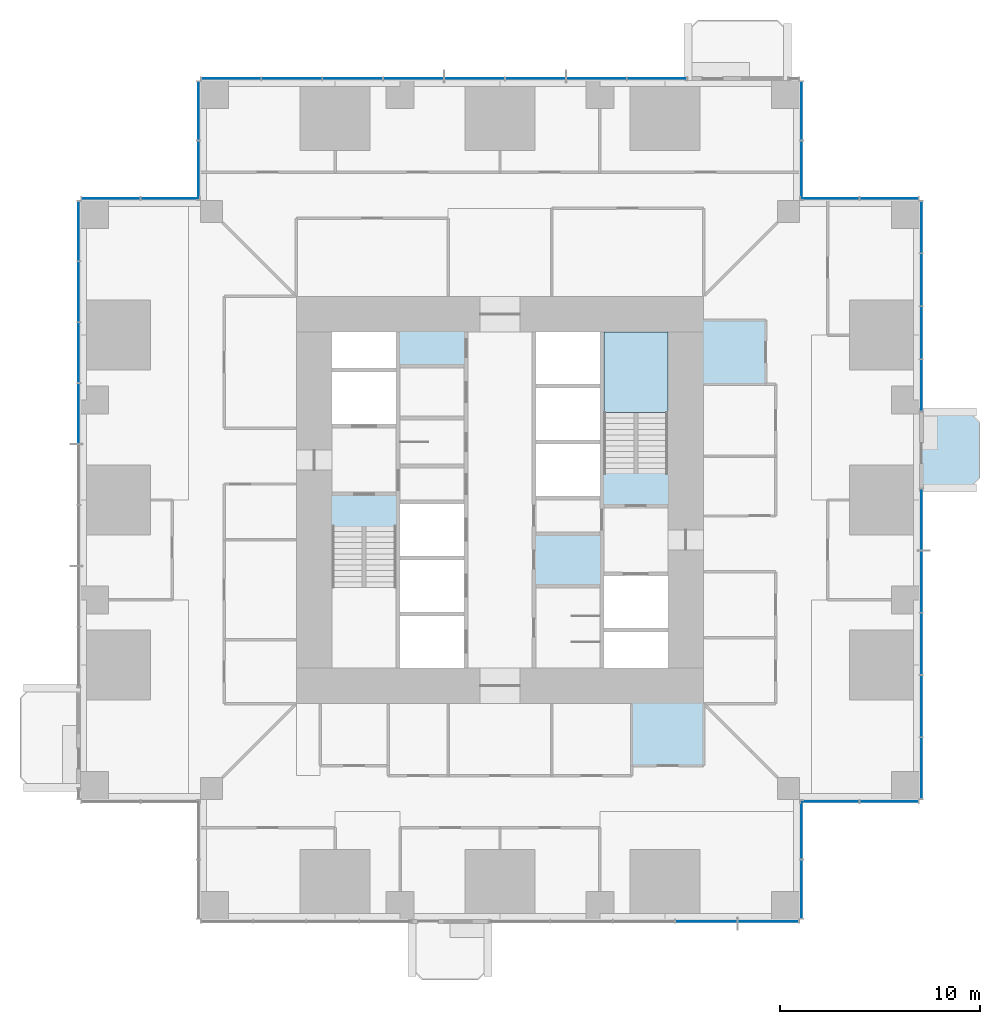
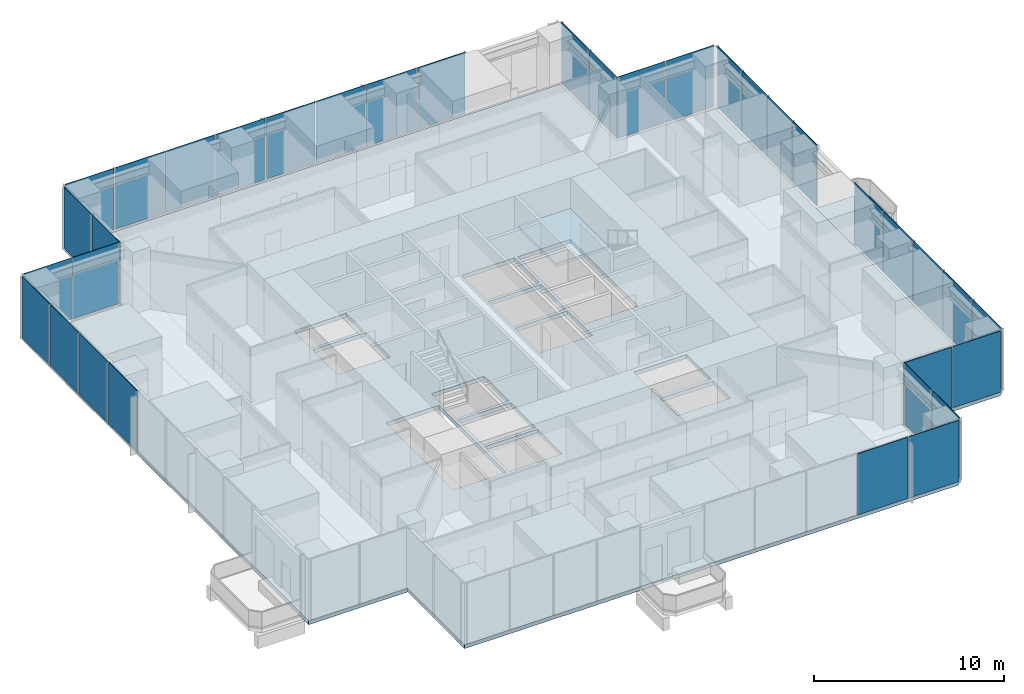
# One storey, part 9 of 18: 35 plates, 3 slabs, 12 elements without a shape of their own.
"""IFC4 building model written with IfcOpenShell, lengths in metres."""

from ifc_helpers import new_model, si_unit, direction, frame, origin, origin_2d, place, context, subcontext, project, spatial, polyline, rectangle, outline, extrude, material, layer, layer_set, type_object, element, aggregate, save


model = new_model("IFC4")

# Units and contexts
model_context = context("Model", 3, precision=1e-05, world=origin(), true_north=direction((0.0, 1.0)))
body_context = subcontext(model_context, "Body", "Model", "MODEL_VIEW")
ifc_project = project(units=[si_unit("LENGTHUNIT", "METRE"), si_unit("AREAUNIT", "SQUARE_METRE"), si_unit("VOLUMEUNIT", "CUBIC_METRE"), si_unit("PLANEANGLEUNIT", "RADIAN"), si_unit("MASSUNIT", "GRAM", prefix="KILO")], contexts=[model_context])

# Site, building, storey
site_placement = place(None, origin())
site = spatial("IfcSite", under=ifc_project, at=site_placement, CompositionType="ELEMENT")
building_placement = place(site_placement, origin())
building = spatial("IfcBuilding", under=site, at=building_placement, Name="Svetlomir Tower", CompositionType="ELEMENT")
storey_placement = place(building_placement, frame((0.0, 0.0, 54.5)))
storey = spatial("IfcBuildingStorey", under=building, at=storey_placement, Name="L12", CompositionType="ELEMENT", Elevation=54.5)

# Slab
ifc_material_1 = material(Name="Concrete C60/75", Category="concrete")
ifc_layer_1 = layer(ifc_material_1, 0.25)
ifc_layer_set_1 = layer_set([ifc_layer_1], Name="Concrete C60/75")
slab_type_1 = type_object("IfcSlabType", Name="BALCONY SLAB 250", PredefinedType="FLOOR", material=ifc_layer_set_1)
slab_1_placement = place(storey_placement, frame((0.0, 0.0, -0.25)))
element("IfcSlab", 1, at=slab_1_placement, inside=storey, type_object=slab_type_1, Name="L12 E planted balcony", PredefinedType="FLOOR", context=body_context, shape_type="SweptSolid", body=[
    extrude(outline(polyline([(42.0, 21.60009765625), (44.5, 21.60009765625), (45.0, 22.10009765625), (45.0, 24.89990234375), (44.5, 25.39990234375), (42.0, 25.39990234375), (42.0, 21.60009765625)])), origin(), (0.0, 0.0, 1.0), 0.25),
])

# Curtain wall, plates
ifc_material_2 = material(Name="Bronze anodised aluminium curtain wall", Category="aluminium")
curtain_wall_type = type_object("IfcCurtainWallType", Name="CURTAIN WALL CW1 TOWER OFFICE", PredefinedType="NOTDEFINED", material=ifc_material_2)
curtain_wall_1_placement = place(storey_placement, origin())
curtain_wall_1 = element("IfcCurtainWall", 2, at=curtain_wall_1_placement, inside=storey, type_object=curtain_wall_type, Name="Curtain wall CW1 L12", PredefinedType="NOTDEFINED")
ifc_material_3 = material(Name="Tinted double glazed unit", Category="glass")
ifc_layer_2 = layer(ifc_material_3, 0.031982421875)
ifc_layer_set_2 = layer_set([ifc_layer_2], Name="Tinted double glazed unit")
plate_type = type_object("IfcPlateType", Name="CW1 GLAZED PANEL 32", PredefinedType="CURTAIN_PANEL", material=ifc_layer_set_2)
plate_1_placement = place(storey_placement, frame((31.320068359375, -0.10009765625, 0.06494140625), z_axis=(0.0, 0.0, 1.0), x_axis=(1.0, 0.0, 0.0)))
plate_1 = element("IfcPlate", 3, at=plate_1_placement, type_object=plate_type, Name="CW1 panel 4.1", PredefinedType="CURTAIN_PANEL", context=body_context, shape_type="SweptSolid", body=[
    extrude(rectangle(XDim=3.054931640625, YDim=0.031982421875, at=origin_2d()), origin(), (0.0, 0.0, 1.0), 3.93505859375),
])
plate_2_placement = place(storey_placement, frame((34.423828125, -0.10009765625, 0.06494140625), z_axis=(0.0, 0.0, 1.0), x_axis=(1.0, 0.0, 0.0)))
plate_2 = element("IfcPlate", 4, at=plate_2_placement, type_object=plate_type, Name="CW1 panel 5.1", PredefinedType="CURTAIN_PANEL", context=body_context, shape_type="SweptSolid", body=[
    extrude(rectangle(XDim=3.0224609375, YDim=0.031982421875, at=origin_2d()), origin(), (0.0, 0.0, 1.0), 3.93505859375),
])
aggregate(curtain_wall_1, [plate_1, plate_2])

curtain_wall_2_placement = place(storey_placement, origin())
curtain_wall_2 = element("IfcCurtainWall", 5, at=curtain_wall_2_placement, inside=storey, type_object=curtain_wall_type, Name="Curtain wall CW1 L12", PredefinedType="NOTDEFINED")
plate_3_placement = place(storey_placement, frame((36.10009765625, 1.516357421875, 0.06494140625), z_axis=(0.0, 0.0, 1.0), x_axis=(0.0, 1.0, 0.0)))
plate_3 = element("IfcPlate", 6, at=plate_3_placement, type_object=plate_type, Name="CW1 panel 1.1", PredefinedType="CURTAIN_PANEL", context=body_context, shape_type="SweptSolid", body=[
    extrude(rectangle(XDim=2.902587890625, YDim=0.031982421875, at=origin_2d()), origin(), (0.0, 0.0, 1.0), 3.93505859375),
])
plate_4_placement = place(storey_placement, frame((36.10009765625, 4.483642578125, 0.06494140625), z_axis=(0.0, 0.0, 1.0), x_axis=(0.0, 1.0, 0.0)))
plate_4 = element("IfcPlate", 7, at=plate_4_placement, type_object=plate_type, Name="CW1 panel 2.1", PredefinedType="CURTAIN_PANEL", context=body_context, shape_type="SweptSolid", body=[
    extrude(rectangle(XDim=2.902587890625, YDim=0.031982421875, at=origin_2d()), origin(), (0.0, 0.0, 1.0), 3.93505859375),
])
aggregate(curtain_wall_2, [plate_3, plate_4])

curtain_wall_3_placement = place(storey_placement, origin())
curtain_wall_3 = element("IfcCurtainWall", 8, at=curtain_wall_3_placement, inside=storey, type_object=curtain_wall_type, Name="Curtain wall CW1 L12", PredefinedType="NOTDEFINED")
plate_5_placement = place(storey_placement, frame((37.516357421875, 5.89990234375, 0.06494140625), z_axis=(0.0, 0.0, 1.0), x_axis=(1.0, 0.0, 0.0)))
plate_5 = element("IfcPlate", 9, at=plate_5_placement, type_object=plate_type, Name="CW1 panel 1.1", PredefinedType="CURTAIN_PANEL", context=body_context, shape_type="SweptSolid", body=[
    extrude(rectangle(XDim=2.902587890625, YDim=0.031982421875, at=origin_2d()), origin(), (0.0, 0.0, 1.0), 3.93505859375),
])
plate_6_placement = place(storey_placement, frame((40.483642578125, 5.89990234375, 0.06494140625), z_axis=(0.0, 0.0, 1.0), x_axis=(1.0, 0.0, 0.0)))
plate_6 = element("IfcPlate", 10, at=plate_6_placement, type_object=plate_type, Name="CW1 panel 2.1", PredefinedType="CURTAIN_PANEL", context=body_context, shape_type="SweptSolid", body=[
    extrude(rectangle(XDim=2.902587890625, YDim=0.031982421875, at=origin_2d()), origin(), (0.0, 0.0, 1.0), 3.93505859375),
])
aggregate(curtain_wall_3, [plate_5, plate_6])

curtain_wall_4_placement = place(storey_placement, origin())
curtain_wall_4 = element("IfcCurtainWall", 11, at=curtain_wall_4_placement, inside=storey, type_object=curtain_wall_type, Name="Curtain wall CW1 L12", PredefinedType="NOTDEFINED")
plate_7_placement = place(storey_placement, frame((42.10009765625, 7.576171875, 0.06494140625), z_axis=(0.0, 0.0, 1.0), x_axis=(0.0, 1.0, 0.0)))
plate_7 = element("IfcPlate", 12, at=plate_7_placement, type_object=plate_type, Name="CW1 panel 1.1", PredefinedType="CURTAIN_PANEL", context=body_context, shape_type="SweptSolid", body=[
    extrude(rectangle(XDim=3.0224609375, YDim=0.031982421875, at=origin_2d()), origin(), (0.0, 0.0, 1.0), 3.93505859375),
])
plate_8_placement = place(storey_placement, frame((42.10009765625, 10.679931640625, 0.06494140625), z_axis=(0.0, 0.0, 1.0), x_axis=(0.0, 1.0, 0.0)))
plate_8 = element("IfcPlate", 13, at=plate_8_placement, type_object=plate_type, Name="CW1 panel 2.1", PredefinedType="CURTAIN_PANEL", context=body_context, shape_type="SweptSolid", body=[
    extrude(rectangle(XDim=3.054931640625, YDim=0.031982421875, at=origin_2d()), origin(), (0.0, 0.0, 1.0), 3.93505859375),
])
plate_9_placement = place(storey_placement, frame((42.10009765625, 13.800048828125, 0.06494140625), z_axis=(0.0, 0.0, 1.0), x_axis=(0.0, 1.0, 0.0)))
plate_9 = element("IfcPlate", 14, at=plate_9_placement, type_object=plate_type, Name="CW1 panel 3.1", PredefinedType="CURTAIN_PANEL", context=body_context, shape_type="SweptSolid", body=[
    extrude(rectangle(XDim=3.054931640625, YDim=0.031982421875, at=origin_2d()), origin(), (0.0, 0.0, 1.0), 3.93505859375),
])
plate_10_placement = place(storey_placement, frame((42.10009765625, 16.919921875, 0.06494140625), z_axis=(0.0, 0.0, 1.0), x_axis=(0.0, 1.0, 0.0)))
plate_10 = element("IfcPlate", 15, at=plate_10_placement, type_object=plate_type, Name="CW1 panel 4.1", PredefinedType="CURTAIN_PANEL", context=body_context, shape_type="SweptSolid", body=[
    extrude(rectangle(XDim=3.054931640625, YDim=0.031982421875, at=origin_2d()), origin(), (0.0, 0.0, 1.0), 3.93505859375),
])
plate_11_placement = place(storey_placement, frame((42.10009765625, 20.023681640625, 0.06494140625), z_axis=(0.0, 0.0, 1.0), x_axis=(0.0, 1.0, 0.0)))
plate_11 = element("IfcPlate", 16, at=plate_11_placement, type_object=plate_type, Name="CW1 panel 5.1", PredefinedType="CURTAIN_PANEL", context=body_context, shape_type="SweptSolid", body=[
    extrude(rectangle(XDim=3.0224609375, YDim=0.031982421875, at=origin_2d()), origin(), (0.0, 0.0, 1.0), 3.93505859375),
])
aggregate(curtain_wall_4, [plate_7, plate_8, plate_9, plate_10, plate_11])

curtain_wall_5_placement = place(storey_placement, origin())
curtain_wall_5 = element("IfcCurtainWall", 17, at=curtain_wall_5_placement, inside=storey, type_object=curtain_wall_type, Name="Curtain wall CW1 L12", PredefinedType="NOTDEFINED")
plate_12_placement = place(storey_placement, frame((42.10009765625, 26.7412109375, 0.06494140625), z_axis=(0.0, 0.0, 1.0), x_axis=(0.0, 1.0, 0.0)))
plate_12 = element("IfcPlate", 18, at=plate_12_placement, type_object=plate_type, Name="CW1 panel 1.1", PredefinedType="CURTAIN_PANEL", context=body_context, shape_type="SweptSolid", body=[
    extrude(rectangle(XDim=2.552490234375, YDim=0.031982421875, at=origin_2d()), origin(), (0.0, 0.0, 1.0), 3.93505859375),
])
plate_13_placement = place(storey_placement, frame((42.10009765625, 29.375, 0.06494140625), z_axis=(0.0, 0.0, 1.0), x_axis=(0.0, 1.0, 0.0)))
plate_13 = element("IfcPlate", 19, at=plate_13_placement, type_object=plate_type, Name="CW1 panel 2.1", PredefinedType="CURTAIN_PANEL", context=body_context, shape_type="SweptSolid", body=[
    extrude(rectangle(XDim=2.5849609375, YDim=0.031982421875, at=origin_2d()), origin(), (0.0, 0.0, 1.0), 3.93505859375),
])
plate_14_placement = place(storey_placement, frame((42.10009765625, 32.02490234375, 0.06494140625), z_axis=(0.0, 0.0, 1.0), x_axis=(0.0, 1.0, 0.0)))
plate_14 = element("IfcPlate", 20, at=plate_14_placement, type_object=plate_type, Name="CW1 panel 3.1", PredefinedType="CURTAIN_PANEL", context=body_context, shape_type="SweptSolid", body=[
    extrude(rectangle(XDim=2.5849609375, YDim=0.031982421875, at=origin_2d()), origin(), (0.0, 0.0, 1.0), 3.93505859375),
])
plate_15_placement = place(storey_placement, frame((42.10009765625, 34.65869140625, 0.06494140625), z_axis=(0.0, 0.0, 1.0), x_axis=(0.0, 1.0, 0.0)))
plate_15 = element("IfcPlate", 21, at=plate_15_placement, type_object=plate_type, Name="CW1 panel 4.1", PredefinedType="CURTAIN_PANEL", context=body_context, shape_type="SweptSolid", body=[
    extrude(rectangle(XDim=2.552490234375, YDim=0.031982421875, at=origin_2d()), origin(), (0.0, 0.0, 1.0), 3.93505859375),
])
aggregate(curtain_wall_5, [plate_12, plate_13, plate_14, plate_15])

curtain_wall_6_placement = place(storey_placement, origin())
curtain_wall_6 = element("IfcCurtainWall", 22, at=curtain_wall_6_placement, inside=storey, type_object=curtain_wall_type, Name="Curtain wall CW1 L12", PredefinedType="NOTDEFINED")
plate_16_placement = place(storey_placement, frame((40.483642578125, 36.10009765625, 0.06494140625), z_axis=(0.0, 0.0, 1.0), x_axis=(-1.0, 0.0, 0.0)))
plate_16 = element("IfcPlate", 23, at=plate_16_placement, type_object=plate_type, Name="CW1 panel 1.1", PredefinedType="CURTAIN_PANEL", context=body_context, shape_type="SweptSolid", body=[
    extrude(rectangle(XDim=2.902587890625, YDim=0.031982421875, at=origin_2d()), origin(), (0.0, 0.0, 1.0), 3.93505859375),
])
plate_17_placement = place(storey_placement, frame((37.516357421875, 36.10009765625, 0.06494140625), z_axis=(0.0, 0.0, 1.0), x_axis=(-1.0, 0.0, 0.0)))
plate_17 = element("IfcPlate", 24, at=plate_17_placement, type_object=plate_type, Name="CW1 panel 2.1", PredefinedType="CURTAIN_PANEL", context=body_context, shape_type="SweptSolid", body=[
    extrude(rectangle(XDim=2.902587890625, YDim=0.031982421875, at=origin_2d()), origin(), (0.0, 0.0, 1.0), 3.93505859375),
])
aggregate(curtain_wall_6, [plate_16, plate_17])

curtain_wall_7_placement = place(storey_placement, origin())
curtain_wall_7 = element("IfcCurtainWall", 25, at=curtain_wall_7_placement, inside=storey, type_object=curtain_wall_type, Name="Curtain wall CW1 L12", PredefinedType="NOTDEFINED")
plate_18_placement = place(storey_placement, frame((36.10009765625, 37.516357421875, 0.06494140625), z_axis=(0.0, 0.0, 1.0), x_axis=(0.0, 1.0, 0.0)))
plate_18 = element("IfcPlate", 26, at=plate_18_placement, type_object=plate_type, Name="CW1 panel 1.1", PredefinedType="CURTAIN_PANEL", context=body_context, shape_type="SweptSolid", body=[
    extrude(rectangle(XDim=2.902587890625, YDim=0.031982421875, at=origin_2d()), origin(), (0.0, 0.0, 1.0), 3.93505859375),
])
plate_19_placement = place(storey_placement, frame((36.10009765625, 40.483642578125, 0.06494140625), z_axis=(0.0, 0.0, 1.0), x_axis=(0.0, 1.0, 0.0)))
plate_19 = element("IfcPlate", 27, at=plate_19_placement, type_object=plate_type, Name="CW1 panel 2.1", PredefinedType="CURTAIN_PANEL", context=body_context, shape_type="SweptSolid", body=[
    extrude(rectangle(XDim=2.902587890625, YDim=0.031982421875, at=origin_2d()), origin(), (0.0, 0.0, 1.0), 3.93505859375),
])
aggregate(curtain_wall_7, [plate_18, plate_19])

curtain_wall_8_placement = place(storey_placement, origin())
curtain_wall_8 = element("IfcCurtainWall", 28, at=curtain_wall_8_placement, inside=storey, type_object=curtain_wall_type, Name="Curtain wall CW1 L12", PredefinedType="NOTDEFINED")
plate_20_placement = place(storey_placement, frame((28.858642578125, 42.10009765625, 0.06494140625), z_axis=(0.0, 0.0, 1.0), x_axis=(-1.0, 0.0, 0.0)))
plate_20 = element("IfcPlate", 29, at=plate_20_placement, type_object=plate_type, Name="CW1 panel 1.1", PredefinedType="CURTAIN_PANEL", context=body_context, shape_type="SweptSolid", body=[
    extrude(rectangle(XDim=2.952392578125, YDim=0.031982421875, at=origin_2d()), origin(), (0.0, 0.0, 1.0), 3.93505859375),
])
plate_21_placement = place(storey_placement, frame((25.824951171875, 42.10009765625, 0.06494140625), z_axis=(0.0, 0.0, 1.0), x_axis=(-1.0, 0.0, 0.0)))
plate_21 = element("IfcPlate", 30, at=plate_21_placement, type_object=plate_type, Name="CW1 panel 2.1", PredefinedType="CURTAIN_PANEL", context=body_context, shape_type="SweptSolid", body=[
    extrude(rectangle(XDim=2.985107421875, YDim=0.031982421875, at=origin_2d()), origin(), (0.0, 0.0, 1.0), 3.93505859375),
])
plate_22_placement = place(storey_placement, frame((22.77490234375, 42.10009765625, 0.06494140625), z_axis=(0.0, 0.0, 1.0), x_axis=(-1.0, 0.0, 0.0)))
plate_22 = element("IfcPlate", 31, at=plate_22_placement, type_object=plate_type, Name="CW1 panel 3.1", PredefinedType="CURTAIN_PANEL", context=body_context, shape_type="SweptSolid", body=[
    extrude(rectangle(XDim=2.985107421875, YDim=0.031982421875, at=origin_2d()), origin(), (0.0, 0.0, 1.0), 3.93505859375),
])
plate_23_placement = place(storey_placement, frame((19.72509765625, 42.10009765625, 0.06494140625), z_axis=(0.0, 0.0, 1.0), x_axis=(-1.0, 0.0, 0.0)))
plate_23 = element("IfcPlate", 32, at=plate_23_placement, type_object=plate_type, Name="CW1 panel 4.1", PredefinedType="CURTAIN_PANEL", context=body_context, shape_type="SweptSolid", body=[
    extrude(rectangle(XDim=2.985107421875, YDim=0.031982421875, at=origin_2d()), origin(), (0.0, 0.0, 1.0), 3.93505859375),
])
plate_24_placement = place(storey_placement, frame((16.675048828125, 42.10009765625, 0.06494140625), z_axis=(0.0, 0.0, 1.0), x_axis=(-1.0, 0.0, 0.0)))
plate_24 = element("IfcPlate", 33, at=plate_24_placement, type_object=plate_type, Name="CW1 panel 5.1", PredefinedType="CURTAIN_PANEL", context=body_context, shape_type="SweptSolid", body=[
    extrude(rectangle(XDim=2.985107421875, YDim=0.031982421875, at=origin_2d()), origin(), (0.0, 0.0, 1.0), 3.93505859375),
])
plate_25_placement = place(storey_placement, frame((13.625, 42.10009765625, 0.06494140625), z_axis=(0.0, 0.0, 1.0), x_axis=(-1.0, 0.0, 0.0)))
plate_25 = element("IfcPlate", 34, at=plate_25_placement, type_object=plate_type, Name="CW1 panel 6.1", PredefinedType="CURTAIN_PANEL", context=body_context, shape_type="SweptSolid", body=[
    extrude(rectangle(XDim=2.985107421875, YDim=0.031982421875, at=origin_2d()), origin(), (0.0, 0.0, 1.0), 3.93505859375),
])
plate_26_placement = place(storey_placement, frame((10.574951171875, 42.10009765625, 0.06494140625), z_axis=(0.0, 0.0, 1.0), x_axis=(-1.0, 0.0, 0.0)))
plate_26 = element("IfcPlate", 35, at=plate_26_placement, type_object=plate_type, Name="CW1 panel 7.1", PredefinedType="CURTAIN_PANEL", context=body_context, shape_type="SweptSolid", body=[
    extrude(rectangle(XDim=2.985107421875, YDim=0.031982421875, at=origin_2d()), origin(), (0.0, 0.0, 1.0), 3.93505859375),
])
plate_27_placement = place(storey_placement, frame((7.541259765625, 42.10009765625, 0.06494140625), z_axis=(0.0, 0.0, 1.0), x_axis=(-1.0, 0.0, 0.0)))
plate_27 = element("IfcPlate", 36, at=plate_27_placement, type_object=plate_type, Name="CW1 panel 8.1", PredefinedType="CURTAIN_PANEL", context=body_context, shape_type="SweptSolid", body=[
    extrude(rectangle(XDim=2.952392578125, YDim=0.031982421875, at=origin_2d()), origin(), (0.0, 0.0, 1.0), 3.93505859375),
])
aggregate(curtain_wall_8, [plate_20, plate_21, plate_22, plate_23, plate_24, plate_25, plate_26, plate_27])

curtain_wall_9_placement = place(storey_placement, origin())
curtain_wall_9 = element("IfcCurtainWall", 37, at=curtain_wall_9_placement, inside=storey, type_object=curtain_wall_type, Name="Curtain wall CW1 L12", PredefinedType="NOTDEFINED")
plate_28_placement = place(storey_placement, frame((5.89990234375, 40.483642578125, 0.06494140625), z_axis=(0.0, 0.0, 1.0), x_axis=(0.0, -1.0, 0.0)))
plate_28 = element("IfcPlate", 38, at=plate_28_placement, type_object=plate_type, Name="CW1 panel 1.1", PredefinedType="CURTAIN_PANEL", context=body_context, shape_type="SweptSolid", body=[
    extrude(rectangle(XDim=2.902587890625, YDim=0.031982421875, at=origin_2d()), origin(), (0.0, 0.0, 1.0), 3.93505859375),
])
plate_29_placement = place(storey_placement, frame((5.89990234375, 37.516357421875, 0.06494140625), z_axis=(0.0, 0.0, 1.0), x_axis=(0.0, -1.0, 0.0)))
plate_29 = element("IfcPlate", 39, at=plate_29_placement, type_object=plate_type, Name="CW1 panel 2.1", PredefinedType="CURTAIN_PANEL", context=body_context, shape_type="SweptSolid", body=[
    extrude(rectangle(XDim=2.902587890625, YDim=0.031982421875, at=origin_2d()), origin(), (0.0, 0.0, 1.0), 3.93505859375),
])
aggregate(curtain_wall_9, [plate_28, plate_29])

curtain_wall_10_placement = place(storey_placement, origin())
curtain_wall_10 = element("IfcCurtainWall", 40, at=curtain_wall_10_placement, inside=storey, type_object=curtain_wall_type, Name="Curtain wall CW1 L12", PredefinedType="NOTDEFINED")
plate_30_placement = place(storey_placement, frame((4.483642578125, 36.10009765625, 0.06494140625), z_axis=(0.0, 0.0, 1.0), x_axis=(-1.0, 0.0, 0.0)))
plate_30 = element("IfcPlate", 41, at=plate_30_placement, type_object=plate_type, Name="CW1 panel 1.1", PredefinedType="CURTAIN_PANEL", context=body_context, shape_type="SweptSolid", body=[
    extrude(rectangle(XDim=2.902587890625, YDim=0.031982421875, at=origin_2d()), origin(), (0.0, 0.0, 1.0), 3.93505859375),
])
plate_31_placement = place(storey_placement, frame((1.516357421875, 36.10009765625, 0.06494140625), z_axis=(0.0, 0.0, 1.0), x_axis=(-1.0, 0.0, 0.0)))
plate_31 = element("IfcPlate", 42, at=plate_31_placement, type_object=plate_type, Name="CW1 panel 2.1", PredefinedType="CURTAIN_PANEL", context=body_context, shape_type="SweptSolid", body=[
    extrude(rectangle(XDim=2.902587890625, YDim=0.031982421875, at=origin_2d()), origin(), (0.0, 0.0, 1.0), 3.93505859375),
])
aggregate(curtain_wall_10, [plate_30, plate_31])

curtain_wall_11_placement = place(storey_placement, origin())
curtain_wall_11 = element("IfcCurtainWall", 43, at=curtain_wall_11_placement, inside=storey, type_object=curtain_wall_type, Name="Curtain wall CW1 L12", PredefinedType="NOTDEFINED")
plate_32_placement = place(storey_placement, frame((-0.10009765625, 34.458740234375, 0.06494140625), z_axis=(0.0, 0.0, 1.0), x_axis=(0.0, -1.0, 0.0)))
plate_32 = element("IfcPlate", 44, at=plate_32_placement, type_object=plate_type, Name="CW1 panel 1.1", PredefinedType="CURTAIN_PANEL", context=body_context, shape_type="SweptSolid", body=[
    extrude(rectangle(XDim=2.952392578125, YDim=0.031982421875, at=origin_2d()), origin(), (0.0, 0.0, 1.0), 3.93505859375),
])
plate_33_placement = place(storey_placement, frame((-0.10009765625, 31.425048828125, 0.06494140625), z_axis=(0.0, 0.0, 1.0), x_axis=(0.0, -1.0, 0.0)))
plate_33 = element("IfcPlate", 45, at=plate_33_placement, type_object=plate_type, Name="CW1 panel 2.1", PredefinedType="CURTAIN_PANEL", context=body_context, shape_type="SweptSolid", body=[
    extrude(rectangle(XDim=2.985107421875, YDim=0.031982421875, at=origin_2d()), origin(), (0.0, 0.0, 1.0), 3.93505859375),
])
plate_34_placement = place(storey_placement, frame((-0.10009765625, 28.375, 0.06494140625), z_axis=(0.0, 0.0, 1.0), x_axis=(0.0, -1.0, 0.0)))
plate_34 = element("IfcPlate", 46, at=plate_34_placement, type_object=plate_type, Name="CW1 panel 3.1", PredefinedType="CURTAIN_PANEL", context=body_context, shape_type="SweptSolid", body=[
    extrude(rectangle(XDim=2.985107421875, YDim=0.031982421875, at=origin_2d()), origin(), (0.0, 0.0, 1.0), 3.93505859375),
])
plate_35_placement = place(storey_placement, frame((-0.10009765625, 25.324951171875, 0.06494140625), z_axis=(0.0, 0.0, 1.0), x_axis=(0.0, -1.0, 0.0)))
plate_35 = element("IfcPlate", 47, at=plate_35_placement, type_object=plate_type, Name="CW1 panel 4.1", PredefinedType="CURTAIN_PANEL", context=body_context, shape_type="SweptSolid", body=[
    extrude(rectangle(XDim=2.985107421875, YDim=0.031982421875, at=origin_2d()), origin(), (0.0, 0.0, 1.0), 3.93505859375),
])
aggregate(curtain_wall_11, [plate_32, plate_33, plate_34, plate_35])

# Slab
ifc_material_4 = material(Name="Concrete C60/75", Category="concrete")
ifc_layer_3 = layer(ifc_material_4, 0.25)
ifc_layer_set_3 = layer_set([ifc_layer_3], Name="Concrete C60/75")
slab_type_2 = type_object("IfcSlabType", Name="FLOOR SLAB 250", PredefinedType="FLOOR", material=ifc_layer_set_3)
slab_2_placement = place(storey_placement, frame((0.0, 0.0, -0.25)))
element("IfcSlab", 48, at=slab_2_placement, inside=storey, type_object=slab_type_2, Name="L12 floor slab", PredefinedType="FLOOR", context=body_context, shape_type="SweptSolid", body=[
    extrude(outline(polyline([(6.0, 0.0), (36.0, 0.0), (36.0, 6.0), (42.0, 6.0), (42.0, 36.0), (36.0, 36.0), (36.0, 42.0), (6.0, 42.0), (6.0, 36.0), (0.0, 36.0), (0.0, 6.0), (6.0, 6.0), (6.0, 0.0)]), holes=[polyline([(12.60009765625, 24.800048828125), (15.800048828125, 24.800048828125), (15.800048828125, 27.39990234375), (12.60009765625, 27.39990234375), (12.60009765625, 24.800048828125)]), polyline([(26.199951171875, 14.60009765625), (29.39990234375, 14.60009765625), (29.39990234375, 17.199951171875), (26.199951171875, 17.199951171875), (26.199951171875, 14.60009765625)]), polyline([(16.0, 12.60009765625), (19.199951171875, 12.60009765625), (19.199951171875, 15.199951171875), (16.0, 15.199951171875), (16.0, 12.60009765625)]), polyline([(16.0, 15.39990234375), (19.199951171875, 15.39990234375), (19.199951171875, 18.0), (16.0, 18.0), (16.0, 15.39990234375)]), polyline([(16.0, 18.199951171875), (19.199951171875, 18.199951171875), (19.199951171875, 20.800048828125), (16.0, 20.800048828125), (16.0, 18.199951171875)]), polyline([(22.800048828125, 21.199951171875), (26.0, 21.199951171875), (26.0, 23.800048828125), (22.800048828125, 23.800048828125), (22.800048828125, 21.199951171875)]), polyline([(22.800048828125, 24.0), (26.0, 24.0), (26.0, 26.60009765625), (22.800048828125, 26.60009765625), (22.800048828125, 24.0)]), polyline([(22.800048828125, 26.800048828125), (26.0, 26.800048828125), (26.0, 29.39990234375), (22.800048828125, 29.39990234375), (22.800048828125, 26.800048828125)]), polyline([(12.60009765625, 27.60009765625), (15.800048828125, 27.60009765625), (15.800048828125, 29.39990234375), (12.60009765625, 29.39990234375), (12.60009765625, 27.60009765625)]), polyline([(26.199951171875, 12.60009765625), (29.39990234375, 12.60009765625), (29.39990234375, 14.39990234375), (26.199951171875, 14.39990234375), (26.199951171875, 12.60009765625)]), polyline([(12.60009765625, 12.60009765625), (15.800048828125, 12.60009765625), (15.800048828125, 19.679931640625), (12.60009765625, 19.679931640625), (12.60009765625, 12.60009765625)]), polyline([(26.199951171875, 22.320068359375), (29.39990234375, 22.320068359375), (29.39990234375, 29.39990234375), (26.199951171875, 29.39990234375), (26.199951171875, 22.320068359375)])]), origin(), (0.0, 0.0, 1.0), 0.25),
])

# Stair, slab
ifc_material_5 = material(Name="Concrete C60/75", Category="concrete")
stair_type = type_object("IfcStairType", Name="EXIT STAIR 3200 RISE 4000", PredefinedType="HALF_TURN_STAIR", material=ifc_material_5)
stair_placement = place(storey_placement, origin())
stair = element("IfcStair", 49, at=stair_placement, inside=storey, type_object=stair_type, Name="Stair S2 L12 to L13", PredefinedType="HALF_TURN_STAIR")
ifc_material_6 = material(Name="Concrete C60/75", Category="concrete")
ifc_layer_4 = layer(ifc_material_6, 0.199951171875)
ifc_layer_set_4 = layer_set([ifc_layer_4], Name="Concrete C60/75")
slab_type_3 = type_object("IfcSlabType", Name="STAIR LANDING 200", PredefinedType="LANDING", material=ifc_layer_set_4)
slab_3_placement = place(storey_placement, frame((0.0, 0.0, 1.800048828125)))
slab_3 = element("IfcSlab", 50, at=slab_3_placement, type_object=slab_type_3, Name="S2 landing 1", PredefinedType="LANDING", context=body_context, shape_type="SweptSolid", body=[
    extrude(outline(polyline([(26.199951171875, 25.3798828125), (29.39990234375, 25.3798828125), (29.39990234375, 29.39990234375), (26.199951171875, 29.39990234375), (26.199951171875, 25.3798828125)])), origin(), (0.0, 0.0, 1.0), 0.199951171875),
])
aggregate(stair, [slab_3])

save(model, "model.ifc")
